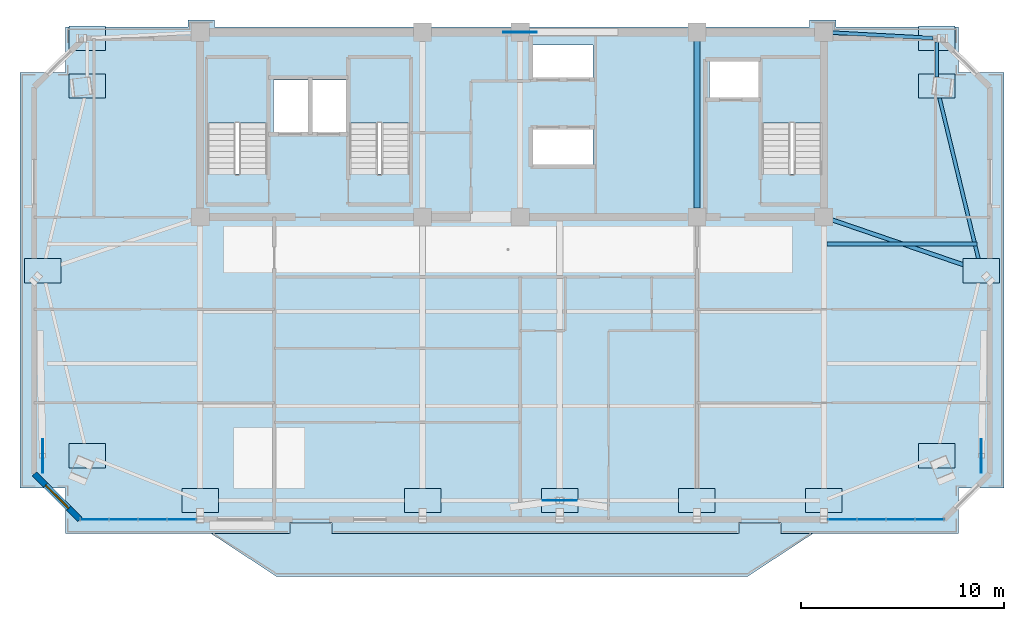
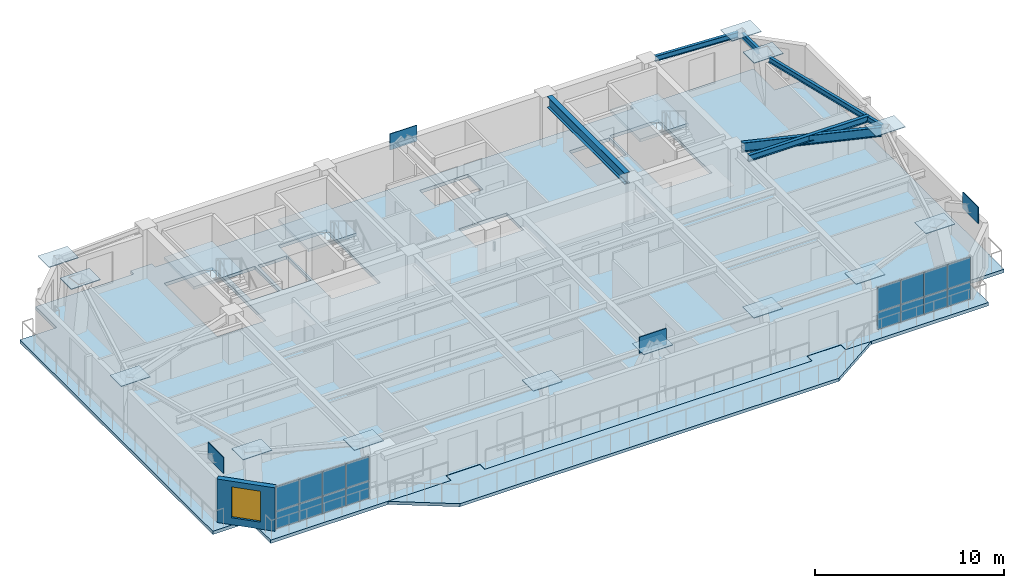
# One storey, part 5 of 12: 33 plates, 6 beams, 5 slabs, 1 wall, 1 window, 1 opening, 5 elements without a shape of their own.
"""IFC4 building model written with IfcOpenShell, lengths in metres."""

from ifc_helpers import new_model, si_unit, direction, frame, frame_2d, origin, origin_2d, place, context, subcontext, project, spatial, polyline, rectangle, i_section, outline, extrude, source, transform, mapped, material, layer, layer_set, material_profile, profile_set, type_object, element, fill, aggregate, save


model = new_model("IFC4")

# Units and contexts
model_context = context("Model", 3, precision=1e-05, world=origin(), true_north=direction((0.0, 1.0)))
body_context = subcontext(model_context, "Body", "Model", "MODEL_VIEW")
ifc_project = project(units=[si_unit("LENGTHUNIT", "METRE"), si_unit("AREAUNIT", "SQUARE_METRE"), si_unit("VOLUMEUNIT", "CUBIC_METRE"), si_unit("PLANEANGLEUNIT", "RADIAN"), si_unit("MASSUNIT", "GRAM", prefix="KILO")], contexts=[model_context])

# Site, building, storey
site_placement = place(None, origin())
site = spatial("IfcSite", under=ifc_project, at=site_placement, CompositionType="ELEMENT")
building_placement = place(site_placement, origin())
building = spatial("IfcBuilding", under=site, at=building_placement, Name="Giltprow Tower", CompositionType="ELEMENT")
storey_placement = place(building_placement, frame((0.0, 0.0, 342.5)))
storey = spatial("IfcBuildingStorey", under=building, at=storey_placement, Name="L89", CompositionType="ELEMENT", Elevation=342.5)

# Beams
ifc_material_1 = material(Name="Structural steel Q355B", Category="steel")
ifc_material_profile_1 = material_profile(ifc_material_1, i_section(OverallWidth=0.300048828125, OverallDepth=0.699951171875, WebThickness=0.012939453125, FlangeThickness=0.02392578125, at=origin_2d()), Name="HN 700x300x13x24")
ifc_profile_set_1 = profile_set([ifc_material_profile_1], Name="Structural steel Q355B")
beam_type_1 = type_object("IfcBeamType", Name="BM-GIRD-HN700", PredefinedType="BEAM", material=ifc_profile_set_1)
shared_shape_1 = source(origin(), body_context, "Body", "SweptSolid", [
    extrude(i_section(OverallWidth=0.300048828125, OverallDepth=0.699951171875, WebThickness=0.012939453125, FlangeThickness=0.02392578125, at=origin_2d()), origin(), (0.0, 0.0, 1.0), 8.22998046875),
])
beam_1_placement = place(storey_placement, frame((44.300048828125, 37.885009765625, 2.8349609375), z_axis=(0.0, 1.0, 0.0), x_axis=(-1.0, 0.0, 0.0)))
element("IfcBeam", 1, at=beam_1_placement, inside=storey, type_object=beam_type_1, Name="L89 Core Tie Girder M3", PredefinedType="BEAM", context=body_context, shape_type="MappedRepresentation", body=[
    mapped(shared_shape_1, transform((0.0, 0.0, 0.0), x_axis=(1.0, 0.0, 0.0), y_axis=(0.0, 1.0, 0.0), z_axis=(0.0, 0.0, 1.0), scale=1.0)),
])
ifc_material_profile_2 = material_profile(ifc_material_1, i_section(OverallWidth=0.175048828125, OverallDepth=0.35009765625, WebThickness=0.007080078125, FlangeThickness=0.010986328125, at=origin_2d()), Name="HN 350x175x7x11")
ifc_profile_set_2 = profile_set([ifc_material_profile_2], Name="Structural steel Q355B")
beam_type_2 = type_object("IfcBeamType", Name="BM-SPAN-HN350", PredefinedType="SPANDREL", material=ifc_profile_set_2)
shared_shape_2 = source(origin(), body_context, "Body", "SweptSolid", [
    extrude(i_section(OverallWidth=0.175048828125, OverallDepth=0.35009765625, WebThickness=0.007080078125, FlangeThickness=0.010986328125, at=origin_2d()), origin(), (0.0, 0.0, 1.0), 8.7421875),
])
beam_2_placement = place(storey_placement, frame((58.257080078125, 34.97998046875, 3.010009765625), z_axis=(-0.235090039637, 0.971973596999, 0.0), x_axis=(-0.971973596999, -0.235090039637, 0.0)))
element("IfcBeam", 2, at=beam_2_placement, inside=storey, type_object=beam_type_2, Name="L89 Perimeter Spandrel Beam E_MID-MC_NE", PredefinedType="SPANDREL", context=body_context, shape_type="MappedRepresentation", body=[
    mapped(shared_shape_2, transform((0.0, 0.0, 0.0), x_axis=(1.0, 0.0, 0.0), y_axis=(0.0, 1.0, 0.0), z_axis=(0.0, 0.0, 1.0), scale=1.0)),
])
shared_shape_3 = source(origin(), body_context, "Body", "SweptSolid", [
    extrude(i_section(OverallWidth=0.175048828125, OverallDepth=0.35009765625, WebThickness=0.007080078125, FlangeThickness=0.010986328125, at=origin_2d()), origin(), (0.0, 0.0, 1.0), 1.72998046875),
])
beam_3_placement = place(storey_placement, frame((56.10009765625, 44.3349609375, 3.010009765625), z_axis=(0.0, 1.0, 0.0), x_axis=(-1.0, 0.0, 0.0)))
element("IfcBeam", 3, at=beam_3_placement, inside=storey, type_object=beam_type_2, Name="L89 Perimeter Spandrel Beam MC_NE-N_E", PredefinedType="SPANDREL", context=body_context, shape_type="MappedRepresentation", body=[
    mapped(shared_shape_3, transform((0.0, 0.0, 0.0), x_axis=(1.0, 0.0, 0.0), y_axis=(0.0, 1.0, 0.0), z_axis=(0.0, 0.0, 1.0), scale=1.0)),
])
shared_shape_4 = source(origin(), body_context, "Body", "SweptSolid", [
    extrude(i_section(OverallWidth=0.175048828125, OverallDepth=0.35009765625, WebThickness=0.007080078125, FlangeThickness=0.010986328125, at=origin_2d()), origin(), (0.0, 0.0, 1.0), 4.9384765625),
])
beam_4_placement = place(storey_placement, frame((50.98388671875, 46.527099609375, 3.010009765625), z_axis=(0.99853636218, -0.054084502437, 0.0), x_axis=(0.054084502437, 0.99853636218, 0.0)))
element("IfcBeam", 4, at=beam_4_placement, inside=storey, type_object=beam_type_2, Name="L89 North Wing Spandrel E", PredefinedType="SPANDREL", context=body_context, shape_type="MappedRepresentation", body=[
    mapped(shared_shape_4, transform((0.0, 0.0, 0.0), x_axis=(1.0, 0.0, 0.0), y_axis=(0.0, 1.0, 0.0), z_axis=(0.0, 0.0, 1.0), scale=1.0)),
])
ifc_material_profile_3 = material_profile(ifc_material_1, i_section(OverallWidth=0.199951171875, OverallDepth=0.60009765625, WebThickness=0.010986328125, FlangeThickness=0.01708984375, at=origin_2d()), Name="HN 600x200x11x17")
ifc_profile_set_3 = profile_set([ifc_material_profile_3], Name="Structural steel Q355B")
beam_type_3 = type_object("IfcBeamType", Name="BM-GIRD-HN600", PredefinedType="BEAM", material=ifc_profile_set_3)
shared_shape_5 = source(origin(), body_context, "Body", "SweptSolid", [
    extrude(i_section(OverallWidth=0.199951171875, OverallDepth=0.60009765625, WebThickness=0.010986328125, FlangeThickness=0.01708984375, at=origin_2d()), origin(), (0.0, 0.0, 1.0), 7.570068359375),
])
beam_5_placement = place(storey_placement, frame((58.125, 34.860107421875, 2.885009765625), z_axis=(-0.946226868373, 0.323503807657, 0.0), x_axis=(-0.323503807657, -0.946226868373, 0.0)))
element("IfcBeam", 5, at=beam_5_placement, inside=storey, type_object=beam_type_3, Name="L89 East Wing Primary Girder", PredefinedType="BEAM", context=body_context, shape_type="MappedRepresentation", body=[
    mapped(shared_shape_5, transform((0.0, 0.0, 0.0), x_axis=(1.0, 0.0, 0.0), y_axis=(0.0, 1.0, 0.0), z_axis=(0.0, 0.0, 1.0), scale=1.0)),
])
ifc_material_profile_4 = material_profile(ifc_material_1, i_section(OverallWidth=0.199951171875, OverallDepth=0.39990234375, WebThickness=0.008056640625, FlangeThickness=0.012939453125, at=origin_2d()), Name="HN 400x200x8x13")
ifc_profile_set_4 = profile_set([ifc_material_profile_4], Name="Structural steel Q355B")
beam_type_4 = type_object("IfcBeamType", Name="BM-JOIST-HN400", PredefinedType="JOIST", material=ifc_profile_set_4)
shared_shape_6 = source(origin(), body_context, "Body", "SweptSolid", [
    extrude(i_section(OverallWidth=0.199951171875, OverallDepth=0.39990234375, WebThickness=0.008056640625, FlangeThickness=0.012939453125, at=origin_2d()), origin(), (0.0, 0.0, 1.0), 7.385009765625),
])
beam_6_placement = place(storey_placement, frame((50.695068359375, 36.125, 2.985107421875), z_axis=(1.0, 0.0, 0.0), x_axis=(0.0, 1.0, 0.0)))
element("IfcBeam", 6, at=beam_6_placement, inside=storey, type_object=beam_type_4, Name="L89 East Wing Floor Joist 2", PredefinedType="JOIST", context=body_context, shape_type="MappedRepresentation", body=[
    mapped(shared_shape_6, transform((0.0, 0.0, 0.0), x_axis=(1.0, 0.0, 0.0), y_axis=(0.0, 1.0, 0.0), z_axis=(0.0, 0.0, 1.0), scale=1.0)),
])

# Slabs
ifc_material_2 = material(Name="Concrete C40", Category="concrete")
ifc_layer_1 = layer(ifc_material_2, 0.199951171875, Name="Concrete C40")
ifc_layer_set_1 = layer_set([ifc_layer_1], Name="Concrete C40")
slab_type_1 = type_object("IfcSlabType", Name="SLB-BALC-BRONZE-200", PredefinedType="FLOOR", material=ifc_layer_set_1)
slab_1_placement = place(storey_placement, frame((0.0, 0.0, -0.199951171875)))
element("IfcSlab", 7, at=slab_1_placement, inside=storey, type_object=slab_type_1, Name="L89 Bronze Prow Waterfront Balcony Slab", PredefinedType="FLOOR", context=body_context, shape_type="SweptSolid", body=[
    extrude(outline(polyline([(50.0, 21.867919921875), (46.800048828125, 19.76806640625), (23.60009765625, 19.76806640625), (20.39990234375, 21.867919921875), (24.280029296875, 21.867919921875), (24.280029296875, 22.367919921875), (26.320068359375, 22.367919921875), (26.320068359375, 21.867919921875), (46.3798828125, 21.867919921875), (46.3798828125, 22.367919921875), (48.419921875, 22.367919921875), (48.419921875, 21.867919921875), (50.0, 21.867919921875)])), origin(), (0.0, 0.0, 1.0), 0.199951171875),
])
ifc_layer_2 = layer(ifc_material_2, 0.215087890625, Name="Concrete C40")
ifc_layer_set_2 = layer_set([ifc_layer_2], Name="Concrete C40")
slab_type_2 = type_object("IfcSlabType", Name="SLB-RES-215", PredefinedType="FLOOR", material=ifc_layer_set_2)
slab_2_placement = place(storey_placement, frame((0.0, 0.0, -0.215087890625)))
element("IfcSlab", 8, at=slab_2_placement, inside=storey, type_object=slab_type_2, Name="L89 Structural Composite Floor Slab", PredefinedType="FLOOR", context=body_context, shape_type="SweptSolid", body=[
    extrude(outline(polyline([(59.4150390625, 44.553955078125), (59.4150390625, 24.114013671875), (57.1689453125, 24.114013671875), (57.1689453125, 21.867919921875), (48.449951171875, 21.867919921875), (48.449951171875, 22.387939453125), (46.35009765625, 22.387939453125), (46.35009765625, 21.867919921875), (26.35009765625, 21.867919921875), (26.35009765625, 22.387939453125), (24.25, 22.387939453125), (24.25, 21.867919921875), (13.23095703125, 21.867919921875), (13.23095703125, 24.114013671875), (10.985107421875, 24.114013671875), (10.985107421875, 44.553955078125), (13.23095703125, 44.553955078125), (13.23095703125, 46.800048828125), (19.25, 46.800048828125), (19.25, 47.14990234375), (20.550048828125, 47.14990234375), (20.550048828125, 46.800048828125), (49.85009765625, 46.800048828125), (49.85009765625, 47.14990234375), (51.14990234375, 47.14990234375), (51.14990234375, 46.800048828125), (57.1689453125, 46.800048828125), (57.1689453125, 44.553955078125), (59.4150390625, 44.553955078125)]), holes=[polyline([(39.18994140625, 41.800048828125), (36.239990234375, 41.800048828125), (36.239990234375, 40.0), (39.18994140625, 40.0), (39.18994140625, 41.800048828125)]), polyline([(23.159912109375, 39.570068359375), (23.159912109375, 45.25), (20.199951171875, 45.25), (20.199951171875, 39.570068359375), (23.159912109375, 39.570068359375)]), polyline([(30.159912109375, 39.570068359375), (30.159912109375, 45.25), (27.199951171875, 45.25), (27.199951171875, 39.570068359375), (30.159912109375, 39.570068359375)]), polyline([(50.4599609375, 45.25), (47.5, 45.25), (47.5, 39.570068359375), (50.4599609375, 39.570068359375), (50.4599609375, 45.25)]), polyline([(25.169921875, 44.199951171875), (23.449951171875, 44.199951171875), (23.449951171875, 41.60009765625), (25.169921875, 41.60009765625), (25.169921875, 44.199951171875)]), polyline([(27.10009765625, 44.199951171875), (25.35009765625, 44.199951171875), (25.35009765625, 41.60009765625), (27.10009765625, 41.60009765625), (27.10009765625, 44.199951171875)]), polyline([(47.3798828125, 43.300048828125), (47.3798828125, 45.10009765625), (44.919921875, 45.10009765625), (44.919921875, 43.300048828125), (47.3798828125, 43.300048828125)]), polyline([(39.18994140625, 44.300048828125), (39.18994140625, 45.919921875), (36.239990234375, 45.919921875), (36.239990234375, 44.300048828125), (39.18994140625, 44.300048828125)])]), origin(), (0.0, 0.0, 1.0), 0.215087890625),
])

# Stair, slab
stair_type_1 = type_object("IfcStairType", Name="STR-ST-1", PredefinedType="HALF_TURN_STAIR", material=ifc_material_2)
stair_1_placement = place(storey_placement, origin())
stair_1 = element("IfcStair", 9, at=stair_1_placement, inside=storey, type_object=stair_type_1, Name="L89 Core Exit Stair ST-1", PredefinedType="HALF_TURN_STAIR")
ifc_layer_3 = layer(ifc_material_2, 0.179931640625, Name="Concrete C40")
ifc_layer_set_3 = layer_set([ifc_layer_3], Name="Concrete C40")
slab_type_3 = type_object("IfcSlabType", Name="SLD-ST-1", PredefinedType="LANDING", material=ifc_layer_set_3)
slab_3_placement = place(storey_placement, frame((0.0, 0.0, 1.52001953125)))
slab_3 = element("IfcSlab", 10, at=slab_3_placement, type_object=slab_type_3, Name="ST-1 landing 1", PredefinedType="LANDING", context=body_context, shape_type="SweptSolid", body=[
    extrude(outline(polyline([(23.159912109375, 42.070068359375), (23.159912109375, 45.25), (20.199951171875, 45.25), (20.199951171875, 42.070068359375), (23.159912109375, 42.070068359375)])), origin(), (0.0, 0.0, 1.0), 0.179931640625),
])
aggregate(stair_1, [slab_3])

stair_type_2 = type_object("IfcStairType", Name="STR-ST-2", PredefinedType="HALF_TURN_STAIR", material=ifc_material_2)
stair_2_placement = place(storey_placement, origin())
stair_2 = element("IfcStair", 11, at=stair_2_placement, inside=storey, type_object=stair_type_2, Name="L89 Core Exit Stair ST-2", PredefinedType="HALF_TURN_STAIR")
ifc_layer_4 = layer(ifc_material_2, 0.18798828125, Name="Concrete C40")
ifc_layer_set_4 = layer_set([ifc_layer_4], Name="Concrete C40")
slab_type_4 = type_object("IfcSlabType", Name="SLD-ST-2", PredefinedType="LANDING", material=ifc_layer_set_4)
slab_4_placement = place(storey_placement, frame((0.0, 0.0, 1.511962890625)))
slab_4 = element("IfcSlab", 12, at=slab_4_placement, type_object=slab_type_4, Name="ST-2 landing 1", PredefinedType="LANDING", context=body_context, shape_type="SweptSolid", body=[
    extrude(outline(polyline([(30.159912109375, 42.070068359375), (30.159912109375, 45.25), (27.199951171875, 45.25), (27.199951171875, 42.070068359375), (30.159912109375, 42.070068359375)])), origin(), (0.0, 0.0, 1.0), 0.18798828125),
])
aggregate(stair_2, [slab_4])

stair_type_3 = type_object("IfcStairType", Name="STR-ST-3", PredefinedType="HALF_TURN_STAIR", material=ifc_material_2)
stair_3_placement = place(storey_placement, origin())
stair_3 = element("IfcStair", 13, at=stair_3_placement, inside=storey, type_object=stair_type_3, Name="L89 Core Exit Stair ST-3", PredefinedType="HALF_TURN_STAIR")
ifc_layer_5 = layer(ifc_material_2, 0.196044921875, Name="Concrete C40")
ifc_layer_set_5 = layer_set([ifc_layer_5], Name="Concrete C40")
slab_type_5 = type_object("IfcSlabType", Name="SLD-ST-3", PredefinedType="LANDING", material=ifc_layer_set_5)
slab_5_placement = place(storey_placement, frame((0.0, 0.0, 1.50390625)))
slab_5 = element("IfcSlab", 14, at=slab_5_placement, type_object=slab_type_5, Name="ST-3 landing 1", PredefinedType="LANDING", context=body_context, shape_type="SweptSolid", body=[
    extrude(outline(polyline([(50.4599609375, 42.070068359375), (50.4599609375, 45.25), (47.5, 45.25), (47.5, 42.070068359375), (50.4599609375, 42.070068359375)])), origin(), (0.0, 0.0, 1.0), 0.196044921875),
])
aggregate(stair_3, [slab_5])

# Plates
ifc_material_3 = material(Name="Structural steel Q420GJC", Category="steel")
plate_type_1 = type_object("IfcPlateType", Name="PLT-NODE-CKN1", PredefinedType="USERDEFINED", material=ifc_material_3)
shared_shape_7 = source(origin(), body_context, "Body", "SweptSolid", [
    extrude(rectangle(XDim=1.800048828125, YDim=1.199951171875, at=origin_2d()), origin(), (0.0, 0.0, 1.0), 0.044921875),
])
for number, where, z_axis, x_axis, name in (
    (15, (14.300048828125, 25.699951171875, 3.142578125), (0.0, 0.0, 1.0), (1.0, 0.0, 0.0), "CKN1 Column Taper Splice Node L89-MC_SW"),
    (16, (56.10009765625, 25.699951171875, 3.142578125), (0.0, 0.0, 1.0), (1.0, 0.0, 0.0), "CKN1 Column Taper Splice Node L89-MC_SE"),
    (17, (14.300048828125, 43.89990234375, 3.142578125), (0.0, 0.0, 1.0), (1.0, 0.0, 0.0), "CKN1 Column Taper Splice Node L89-MC_NW"),
    (18, (56.10009765625, 43.89990234375, 3.142578125), (0.0, 0.0, 1.0), (1.0, 0.0, 0.0), "CKN1 Column Taper Splice Node L89-MC_NE"),
    (19, (19.85009765625, 23.5, 3.142578125), (0.0, 0.0, 1.0), (1.0, 0.0, 0.0), "CKN1 Column Taper Splice Node L89-S1"),
    (20, (30.800048828125, 23.5, 3.142578125), (0.0, 0.0, 1.0), (1.0, 0.0, 0.0), "CKN1 Column Taper Splice Node L89-S2"),
    (21, (37.550048828125, 23.5, 3.142578125), (0.0, 0.0, 1.0), (1.0, 0.0, 0.0), "CKN1 Column Taper Splice Node L89-S_MID"),
    (22, (44.300048828125, 23.5, 3.142578125), (0.0, 0.0, 1.0), (1.0, 0.0, 0.0), "CKN1 Column Taper Splice Node L89-S3"),
    (23, (50.550048828125, 23.5, 3.142578125), (0.0, 0.0, 1.0), (1.0, 0.0, 0.0), "CKN1 Column Taper Splice Node L89-S4"),
    (24, (12.10009765625, 34.800048828125, 3.142578125), (0.0, 0.0, 1.0), (1.0, 0.0, 0.0), "CKN1 Column Taper Splice Node L89-W_MID"),
    (25, (58.300048828125, 34.800048828125, 3.142578125), (0.0, 0.0, 1.0), (1.0, 0.0, 0.0), "CKN1 Column Taper Splice Node L89-E_MID"),
    (26, (14.300048828125, 46.25, 3.142578125), (0.0, 0.0, 1.0), (1.0, 0.0, 0.0), "CKN1 Column Taper Splice Node L89-N_W"),
    (27, (56.10009765625, 46.25, 3.142578125), (0.0, 0.0, 1.0), (1.0, 0.0, 0.0), "CKN1 Column Taper Splice Node L89-N_E"),
):
    element("IfcPlate", number, at=place(storey_placement, frame(where, z_axis=z_axis, x_axis=x_axis)), inside=storey, type_object=plate_type_1, Name=name, ObjectType="SPLICE", PredefinedType="USERDEFINED", context=body_context, shape_type="MappedRepresentation", body=[
        mapped(shared_shape_7, transform((0.0, 0.0, 0.0), x_axis=(1.0, 0.0, 0.0), y_axis=(0.0, 1.0, 0.0), z_axis=(0.0, 0.0, 1.0), scale=1.0)),
    ])
plate_type_2 = type_object("IfcPlateType", Name="PLT-NODE-MBN2", PredefinedType="USERDEFINED", material=ifc_material_3)
shared_shape_8 = source(origin(), body_context, "Body", "SweptSolid", [
    extrude(rectangle(XDim=1.64990234375, YDim=0.044921875, at=origin_2d()), origin(), (0.0, 0.0, 1.0), 1.050048828125),
])
for number, where, z_axis, x_axis, name in (
    (28, (37.550048828125, 23.5, 2.875), (0.0, 0.0, 1.0), (1.0, 0.0, 0.0), "Mega-Brace Node L89-S-LB"),
    (29, (35.60009765625, 46.550048828125, 2.73486328125), (0.0, 0.0, 1.0), (1.0, 0.0, 0.0), "Mega-Brace Node L89-N-LB"),
    (30, (12.10009765625, 25.699951171875, 2.875), (0.0, 0.0, 1.0), (0.0, 1.0, 0.0), "Mega-Brace Node L89-W-DB"),
    (31, (58.300048828125, 25.699951171875, 2.875), (0.0, 0.0, 1.0), (0.0, 1.0, 0.0), "Mega-Brace Node L89-E-DB"),
):
    element("IfcPlate", number, at=place(storey_placement, frame(where, z_axis=z_axis, x_axis=x_axis)), inside=storey, type_object=plate_type_2, Name=name, ObjectType="GUSSET", PredefinedType="USERDEFINED", context=body_context, shape_type="MappedRepresentation", body=[
        mapped(shared_shape_8, transform((0.0, 0.0, 0.0), x_axis=(1.0, 0.0, 0.0), y_axis=(0.0, 1.0, 0.0), z_axis=(0.0, 0.0, 1.0), scale=1.0)),
    ])

# Curtain wall, plates
ifc_material_4 = material(Name="Anodized bronze", Category="metal")
ifc_layer_6 = layer(ifc_material_4, 0.179931640625, Name="Anodized bronze")
ifc_layer_set_6 = layer_set([ifc_layer_6], Name="Anodized bronze")
curtain_wall_type = type_object("IfcCurtainWallType", Name="CW-RES-SKY", PredefinedType="NOTDEFINED", material=ifc_layer_set_6)
curtain_wall_1_placement = place(storey_placement, origin())
curtain_wall_1 = element("IfcCurtainWall", 32, at=curtain_wall_1_placement, inside=storey, type_object=curtain_wall_type, Name="L89 South Recessed Curtain Wall 1", PredefinedType="NOTDEFINED")
ifc_material_5 = material(Name="Insulated glass", Category="glass")
plate_type_3 = type_object("IfcPlateType", Name="CW-PANEL-IGU-28", PredefinedType="CURTAIN_PANEL", material=ifc_material_5)
shared_shape_9 = source(origin(), body_context, "Body", "SweptSolid", [
    extrude(rectangle(XDim=1.39990234375, YDim=0.028076171875, at=origin_2d()), origin(), (0.0, 0.0, 1.0), 1.114013671875),
])
plate_1_placement = place(storey_placement, frame((14.64599609375, 22.568115234375, 0.05419921875), z_axis=(0.0, 0.0, 1.0), x_axis=(1.0, 0.0, 0.0)))
plate_1 = element("IfcPlate", 33, at=plate_1_placement, type_object=plate_type_3, Name="L89 South Recessed Curtain Wall 1 Glazing Panel 1-1", PredefinedType="CURTAIN_PANEL", context=body_context, shape_type="MappedRepresentation", body=[
    mapped(shared_shape_9, transform((0.0, 0.0, 0.0), x_axis=(1.0, 0.0, 0.0), y_axis=(0.0, 1.0, 0.0), z_axis=(0.0, 0.0, 1.0), scale=1.0)),
])
plate_2_placement = place(storey_placement, frame((16.075927734375, 22.568115234375, 0.05419921875), z_axis=(0.0, 0.0, 1.0), x_axis=(1.0, 0.0, 0.0)))
plate_2 = element("IfcPlate", 34, at=plate_2_placement, type_object=plate_type_3, Name="L89 South Recessed Curtain Wall 1 Glazing Panel 2-1", PredefinedType="CURTAIN_PANEL", context=body_context, shape_type="MappedRepresentation", body=[
    mapped(shared_shape_9, transform((0.0, 0.0, 0.0), x_axis=(1.0, 0.0, 0.0), y_axis=(0.0, 1.0, 0.0), z_axis=(0.0, 0.0, 1.0), scale=1.0)),
])
plate_3_placement = place(storey_placement, frame((17.5048828125, 22.568115234375, 0.05419921875), z_axis=(0.0, 0.0, 1.0), x_axis=(1.0, 0.0, 0.0)))
plate_3 = element("IfcPlate", 35, at=plate_3_placement, type_object=plate_type_3, Name="L89 South Recessed Curtain Wall 1 Glazing Panel 3-1", PredefinedType="CURTAIN_PANEL", context=body_context, shape_type="MappedRepresentation", body=[
    mapped(shared_shape_9, transform((0.0, 0.0, 0.0), x_axis=(1.0, 0.0, 0.0), y_axis=(0.0, 1.0, 0.0), z_axis=(0.0, 0.0, 1.0), scale=1.0)),
])
plate_4_placement = place(storey_placement, frame((18.93505859375, 22.568115234375, 0.05419921875), z_axis=(0.0, 0.0, 1.0), x_axis=(1.0, 0.0, 0.0)))
plate_4 = element("IfcPlate", 36, at=plate_4_placement, type_object=plate_type_3, Name="L89 South Recessed Curtain Wall 1 Glazing Panel 4-1", PredefinedType="CURTAIN_PANEL", context=body_context, shape_type="MappedRepresentation", body=[
    mapped(shared_shape_9, transform((0.0, 0.0, 0.0), x_axis=(1.0, 0.0, 0.0), y_axis=(0.0, 1.0, 0.0), z_axis=(0.0, 0.0, 1.0), scale=1.0)),
])

curtain_wall_2_placement = place(storey_placement, origin())
curtain_wall_2 = element("IfcCurtainWall", 37, at=curtain_wall_2_placement, inside=storey, type_object=curtain_wall_type, Name="L89 South Recessed Curtain Wall 6", PredefinedType="NOTDEFINED")
plate_5_placement = place(storey_placement, frame((51.465087890625, 22.568115234375, 0.05419921875), z_axis=(0.0, 0.0, 1.0), x_axis=(1.0, 0.0, 0.0)))
plate_5 = element("IfcPlate", 38, at=plate_5_placement, type_object=plate_type_3, Name="L89 South Recessed Curtain Wall 6 Glazing Panel 1-1", PredefinedType="CURTAIN_PANEL", context=body_context, shape_type="MappedRepresentation", body=[
    mapped(shared_shape_9, transform((0.0, 0.0, 0.0), x_axis=(1.0, 0.0, 0.0), y_axis=(0.0, 1.0, 0.0), z_axis=(0.0, 0.0, 1.0), scale=1.0)),
])
plate_6_placement = place(storey_placement, frame((52.89501953125, 22.568115234375, 0.05419921875), z_axis=(0.0, 0.0, 1.0), x_axis=(1.0, 0.0, 0.0)))
plate_6 = element("IfcPlate", 39, at=plate_6_placement, type_object=plate_type_3, Name="L89 South Recessed Curtain Wall 6 Glazing Panel 2-1", PredefinedType="CURTAIN_PANEL", context=body_context, shape_type="MappedRepresentation", body=[
    mapped(shared_shape_9, transform((0.0, 0.0, 0.0), x_axis=(1.0, 0.0, 0.0), y_axis=(0.0, 1.0, 0.0), z_axis=(0.0, 0.0, 1.0), scale=1.0)),
])
plate_7_placement = place(storey_placement, frame((54.323974609375, 22.568115234375, 0.05419921875), z_axis=(0.0, 0.0, 1.0), x_axis=(1.0, 0.0, 0.0)))
plate_7 = element("IfcPlate", 40, at=plate_7_placement, type_object=plate_type_3, Name="L89 South Recessed Curtain Wall 6 Glazing Panel 3-1", PredefinedType="CURTAIN_PANEL", context=body_context, shape_type="MappedRepresentation", body=[
    mapped(shared_shape_9, transform((0.0, 0.0, 0.0), x_axis=(1.0, 0.0, 0.0), y_axis=(0.0, 1.0, 0.0), z_axis=(0.0, 0.0, 1.0), scale=1.0)),
])
plate_8_placement = place(storey_placement, frame((55.75390625, 22.568115234375, 0.05419921875), z_axis=(0.0, 0.0, 1.0), x_axis=(1.0, 0.0, 0.0)))
plate_8 = element("IfcPlate", 41, at=plate_8_placement, type_object=plate_type_3, Name="L89 South Recessed Curtain Wall 6 Glazing Panel 4-1", PredefinedType="CURTAIN_PANEL", context=body_context, shape_type="MappedRepresentation", body=[
    mapped(shared_shape_9, transform((0.0, 0.0, 0.0), x_axis=(1.0, 0.0, 0.0), y_axis=(0.0, 1.0, 0.0), z_axis=(0.0, 0.0, 1.0), scale=1.0)),
])

# Plate
shared_shape_10 = source(origin(), body_context, "Body", "SweptSolid", [
    extrude(rectangle(XDim=1.39990234375, YDim=0.028076171875, at=origin_2d()), origin(), (0.0, 0.0, 1.0), 1.56494140625),
])
plate_9_placement = place(storey_placement, frame((14.64599609375, 22.568115234375, 1.195556640625), z_axis=(0.0, 0.0, 1.0), x_axis=(1.0, 0.0, 0.0)))
plate_9 = element("IfcPlate", 42, at=plate_9_placement, type_object=plate_type_3, Name="L89 South Recessed Curtain Wall 1 Glazing Panel 1-2", PredefinedType="CURTAIN_PANEL", context=body_context, shape_type="MappedRepresentation", body=[
    mapped(shared_shape_10, transform((0.0, 0.0, 0.0), x_axis=(1.0, 0.0, 0.0), y_axis=(0.0, 1.0, 0.0), z_axis=(0.0, 0.0, 1.0), scale=1.0)),
])

plate_10_placement = place(storey_placement, frame((16.075927734375, 22.568115234375, 1.195556640625), z_axis=(0.0, 0.0, 1.0), x_axis=(1.0, 0.0, 0.0)))
plate_10 = element("IfcPlate", 43, at=plate_10_placement, type_object=plate_type_3, Name="L89 South Recessed Curtain Wall 1 Glazing Panel 2-2", PredefinedType="CURTAIN_PANEL", context=body_context, shape_type="MappedRepresentation", body=[
    mapped(shared_shape_10, transform((0.0, 0.0, 0.0), x_axis=(1.0, 0.0, 0.0), y_axis=(0.0, 1.0, 0.0), z_axis=(0.0, 0.0, 1.0), scale=1.0)),
])

plate_11_placement = place(storey_placement, frame((17.5048828125, 22.568115234375, 1.195556640625), z_axis=(0.0, 0.0, 1.0), x_axis=(1.0, 0.0, 0.0)))
plate_11 = element("IfcPlate", 44, at=plate_11_placement, type_object=plate_type_3, Name="L89 South Recessed Curtain Wall 1 Glazing Panel 3-2", PredefinedType="CURTAIN_PANEL", context=body_context, shape_type="MappedRepresentation", body=[
    mapped(shared_shape_10, transform((0.0, 0.0, 0.0), x_axis=(1.0, 0.0, 0.0), y_axis=(0.0, 1.0, 0.0), z_axis=(0.0, 0.0, 1.0), scale=1.0)),
])

plate_12_placement = place(storey_placement, frame((18.93505859375, 22.568115234375, 1.195556640625), z_axis=(0.0, 0.0, 1.0), x_axis=(1.0, 0.0, 0.0)))
plate_12 = element("IfcPlate", 45, at=plate_12_placement, type_object=plate_type_3, Name="L89 South Recessed Curtain Wall 1 Glazing Panel 4-2", PredefinedType="CURTAIN_PANEL", context=body_context, shape_type="MappedRepresentation", body=[
    mapped(shared_shape_10, transform((0.0, 0.0, 0.0), x_axis=(1.0, 0.0, 0.0), y_axis=(0.0, 1.0, 0.0), z_axis=(0.0, 0.0, 1.0), scale=1.0)),
])

aggregate(curtain_wall_1, [plate_1, plate_9, plate_2, plate_10, plate_3, plate_11, plate_4, plate_12])

plate_13_placement = place(storey_placement, frame((51.465087890625, 22.568115234375, 1.195556640625), z_axis=(0.0, 0.0, 1.0), x_axis=(1.0, 0.0, 0.0)))
plate_13 = element("IfcPlate", 46, at=plate_13_placement, type_object=plate_type_3, Name="L89 South Recessed Curtain Wall 6 Glazing Panel 1-2", PredefinedType="CURTAIN_PANEL", context=body_context, shape_type="MappedRepresentation", body=[
    mapped(shared_shape_10, transform((0.0, 0.0, 0.0), x_axis=(1.0, 0.0, 0.0), y_axis=(0.0, 1.0, 0.0), z_axis=(0.0, 0.0, 1.0), scale=1.0)),
])

plate_14_placement = place(storey_placement, frame((52.89501953125, 22.568115234375, 1.195556640625), z_axis=(0.0, 0.0, 1.0), x_axis=(1.0, 0.0, 0.0)))
plate_14 = element("IfcPlate", 47, at=plate_14_placement, type_object=plate_type_3, Name="L89 South Recessed Curtain Wall 6 Glazing Panel 2-2", PredefinedType="CURTAIN_PANEL", context=body_context, shape_type="MappedRepresentation", body=[
    mapped(shared_shape_10, transform((0.0, 0.0, 0.0), x_axis=(1.0, 0.0, 0.0), y_axis=(0.0, 1.0, 0.0), z_axis=(0.0, 0.0, 1.0), scale=1.0)),
])

plate_15_placement = place(storey_placement, frame((54.323974609375, 22.568115234375, 1.195556640625), z_axis=(0.0, 0.0, 1.0), x_axis=(1.0, 0.0, 0.0)))
plate_15 = element("IfcPlate", 48, at=plate_15_placement, type_object=plate_type_3, Name="L89 South Recessed Curtain Wall 6 Glazing Panel 3-2", PredefinedType="CURTAIN_PANEL", context=body_context, shape_type="MappedRepresentation", body=[
    mapped(shared_shape_10, transform((0.0, 0.0, 0.0), x_axis=(1.0, 0.0, 0.0), y_axis=(0.0, 1.0, 0.0), z_axis=(0.0, 0.0, 1.0), scale=1.0)),
])

plate_16_placement = place(storey_placement, frame((55.75390625, 22.568115234375, 1.195556640625), z_axis=(0.0, 0.0, 1.0), x_axis=(1.0, 0.0, 0.0)))
plate_16 = element("IfcPlate", 49, at=plate_16_placement, type_object=plate_type_3, Name="L89 South Recessed Curtain Wall 6 Glazing Panel 4-2", PredefinedType="CURTAIN_PANEL", context=body_context, shape_type="MappedRepresentation", body=[
    mapped(shared_shape_10, transform((0.0, 0.0, 0.0), x_axis=(1.0, 0.0, 0.0), y_axis=(0.0, 1.0, 0.0), z_axis=(0.0, 0.0, 1.0), scale=1.0)),
])

aggregate(curtain_wall_2, [plate_5, plate_13, plate_6, plate_14, plate_7, plate_15, plate_8, plate_16])

# Wall, opening, window
ifc_material_6 = material(Name="Precast concrete C40", Category="concrete")
ifc_layer_7 = layer(ifc_material_6, 0.300048828125, Name="Precast concrete C40")
ifc_layer_set_7 = layer_set([ifc_layer_7], Name="Precast concrete C40")
wall_type = type_object("IfcWallType", Name="EW-NOTCH-CHAMFER-300", PredefinedType="SOLIDWALL", material=ifc_layer_set_7)
wall_placement = place(storey_placement, frame((11.68505859375, 24.81396484375, 0.0), z_axis=(0.0, 0.0, 1.0), x_axis=(0.707106781187, -0.707106781187, 0.0)))
wall = element("IfcWall", 50, at=wall_placement, inside=storey, type_object=wall_type, Name="L89 Corner Notch Wall SW", PredefinedType="SOLIDWALL", context=body_context, shape_type="SweptSolid", body=[
    extrude(rectangle(XDim=3.176025390625, YDim=0.300048828125, at=frame_2d((1.587890625, 0.0))), origin(), (0.0, 0.0, 1.0), 2.81494140625),
])
opening_placement = place(wall_placement, frame((0.7880859375, 0.0, 0.449951171875)))
opening = element("IfcOpeningElement", 51, at=opening_placement, cuts=wall, Name="Opening WN17", PredefinedType="OPENING", context=body_context, shape_type="SweptSolid", body=[
    extrude(rectangle(XDim=1.60009765625, YDim=2.0, at=frame_2d((0.800048828125, 1.0))), frame((0.0, 0.159912109375, 0.0), z_axis=(0.0, -1.0, 0.0), x_axis=(1.0, 0.0, 0.0)), (0.0, 0.0, 1.0), 0.320068359375),
])
window_type = type_object("IfcWindowType", Name="WN-COR-1600x2000", PartitioningType="SINGLE_PANEL", PredefinedType="WINDOW", material=ifc_material_5)
shared_shape_11 = source(origin(), body_context, "Body", "SweptSolid", [
    extrude(rectangle(XDim=1.60009765625, YDim=2.0, at=frame_2d((0.800048828125, 1.0))), frame((0.0, 0.030029296875, 0.0), z_axis=(0.0, -1.0, 0.0), x_axis=(1.0, 0.0, 0.0)), (0.0, 0.0, 1.0), 0.06005859375),
])
window_placement = place(opening_placement, origin())
window = element("IfcWindow", 52, at=window_placement, inside=storey, type_object=window_type, Name="L89 Corner Notch Window SW", OverallHeight=2.0, OverallWidth=1.60009765625, PartitioningType="SINGLE_PANEL", PredefinedType="WINDOW", context=body_context, shape_type="MappedRepresentation", body=[
    mapped(shared_shape_11, transform((0.0, 0.0, 0.0), x_axis=(1.0, 0.0, 0.0), y_axis=(0.0, 1.0, 0.0), z_axis=(0.0, 0.0, 1.0), scale=1.0)),
])
fill(opening, window)

save(model, "model.ifc")
